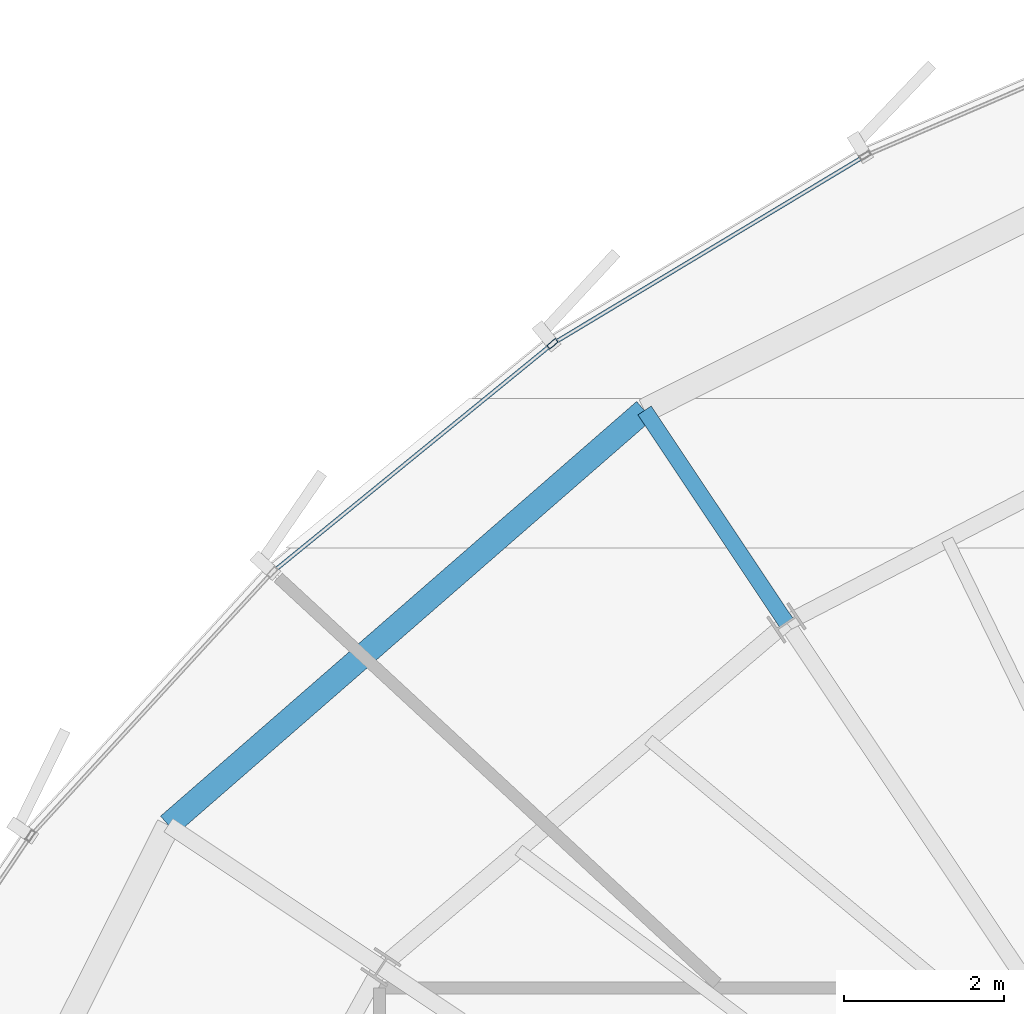
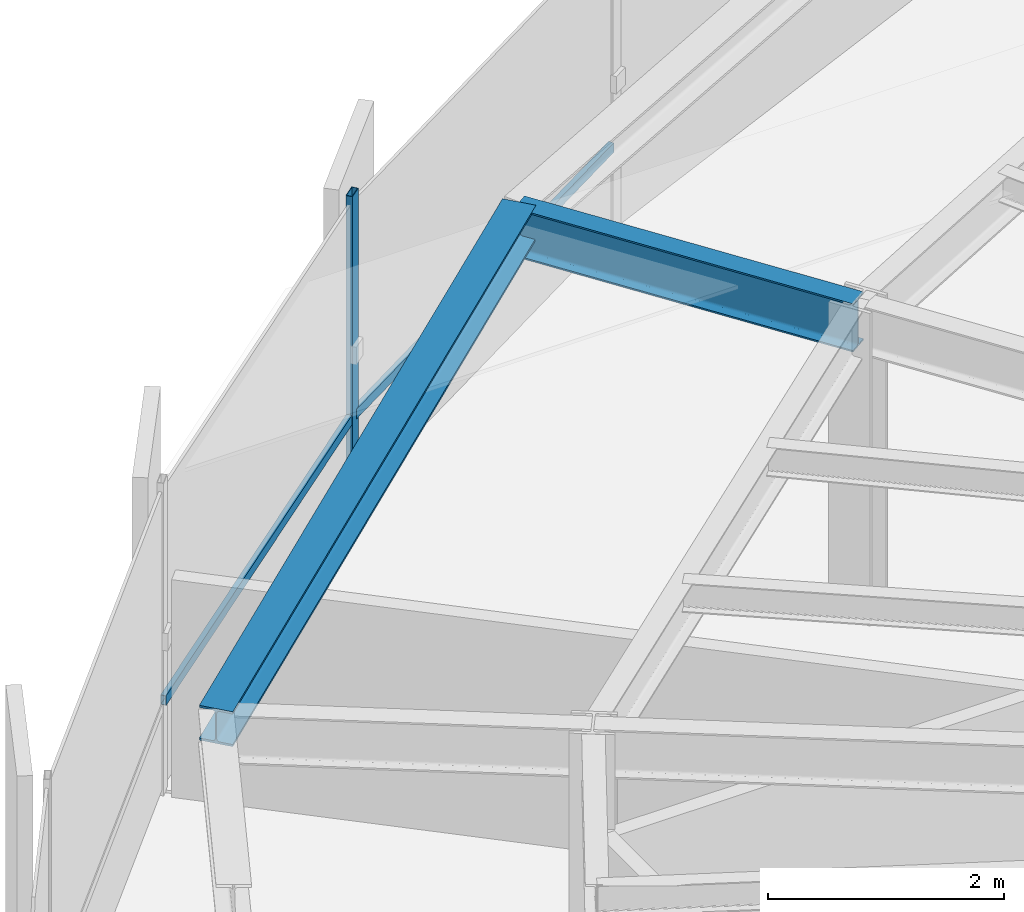
# One storey, part 21 of 36: 3 members, 2 beams, 1 element without a shape of its own.
"""IFC4 building model written with IfcOpenShell, lengths in metres."""

from ifc_helpers import new_model, si_unit, direction, frame, origin, origin_2d, place, context, subcontext, project, spatial, hollow_rectangle, i_section, extrude, source, transform, mapped, material, layer, layer_set, material_profile, profile_set, type_object, element, aggregate, save


model = new_model("IFC4")

# Units and contexts
model_context = context("Model", 3, precision=1e-05, world=origin(), true_north=direction((0.0, 1.0)))
body_context = subcontext(model_context, "Body", "Model", "MODEL_VIEW")
ifc_project = project(units=[si_unit("LENGTHUNIT", "METRE"), si_unit("AREAUNIT", "SQUARE_METRE"), si_unit("VOLUMEUNIT", "CUBIC_METRE"), si_unit("PLANEANGLEUNIT", "RADIAN"), si_unit("MASSUNIT", "GRAM", prefix="KILO"), si_unit("THERMODYNAMICTEMPERATUREUNIT", "KELVIN")], contexts=[model_context])

# Site, building, storey
site_placement = place(None, origin())
site = spatial("IfcSite", under=ifc_project, at=site_placement, CompositionType="ELEMENT")
building_placement = place(site_placement, origin())
building = spatial("IfcBuilding", under=site, at=building_placement, Name="Kethvar Cultural Tower", CompositionType="ELEMENT")
storey_placement = place(building_placement, frame((0.0, 0.0, 176.39990234375)))
storey = spatial("IfcBuildingStorey", under=building, at=storey_placement, Name="L45", CompositionType="ELEMENT", Elevation=176.39990234375)

# Beams
ifc_material_1 = material(Name="Steel S355J2", Category="steel")
ifc_material_profile_1 = material_profile(ifc_material_1, i_section(OverallWidth=0.199951171875, OverallDepth=0.5, WebThickness=0.01025390625, FlangeThickness=0.01611328125, FilletRadius=0.02099609375, at=origin_2d()), Name="Steel S355J2 — IPE500")
ifc_profile_set_1 = profile_set([ifc_material_profile_1], Name="Steel S355J2 — IPE500")
beam_type_1 = type_object("IfcBeamType", Name="BM-IPE500", PredefinedType="BEAM", material=ifc_profile_set_1)
shared_shape_1 = source(origin(), body_context, "Body", "SweptSolid", [
    extrude(i_section(OverallWidth=0.199951171875, OverallDepth=0.5, WebThickness=0.01025390625, FlangeThickness=0.01611328125, FilletRadius=0.02099609375, at=origin_2d()), origin(), (0.0, 0.0, 1.0), 3.199951171875),
])
beam_1_placement = place(storey_placement, frame((37.498779296875, 41.720458984375, 3.008056640625), z_axis=(-0.555580212716, 0.831462943996, 0.0), x_axis=(-0.831462943996, -0.555580212716, 0.0)))
element("IfcBeam", 1, at=beam_1_placement, inside=storey, type_object=beam_type_1, Name="L45 Perimeter Cantilever Beam RC-06", PredefinedType="BEAM", context=body_context, shape_type="MappedRepresentation", body=[
    mapped(shared_shape_1, transform((0.0, 0.0, 0.0), scale=1.0)),
])
ifc_material_profile_2 = material_profile(ifc_material_1, i_section(OverallWidth=0.300048828125, OverallDepth=0.360107421875, WebThickness=0.012451171875, FlangeThickness=0.0224609375, FilletRadius=0.027099609375, at=origin_2d()), Name="Steel S355J2 — HEB360")
ifc_profile_set_2 = profile_set([ifc_material_profile_2], Name="Steel S355J2 — HEB360")
beam_type_2 = type_object("IfcBeamType", Name="BM-SP360", PredefinedType="SPANDREL", material=ifc_profile_set_2)
shared_shape_2 = source(origin(), body_context, "Body", "SweptSolid", [
    extrude(i_section(OverallWidth=0.300048828125, OverallDepth=0.360107421875, WebThickness=0.012451171875, FlangeThickness=0.0224609375, FilletRadius=0.027099609375, at=origin_2d()), origin(), (0.0, 0.0, 1.0), 7.908203125),
])
beam_2_placement = place(storey_placement, frame((35.720947265625, 44.381103515625, 3.078125), z_axis=(-0.754085541675, -0.656776214427, 0.0), x_axis=(0.656776214427, -0.754085541675, 0.0)))
element("IfcBeam", 2, at=beam_2_placement, inside=storey, type_object=beam_type_2, Name="L45 Perimeter Spandrel Beam SP-06", PredefinedType="SPANDREL", context=body_context, shape_type="MappedRepresentation", body=[
    mapped(shared_shape_2, transform((0.0, 0.0, 0.0), scale=1.0)),
])

# Curtain wall, members
ifc_material_2 = material(Name="Aluminium 6063-T6", Category="aluminium")
ifc_layer = layer(ifc_material_2, 0.179931640625, Name="Aluminium 6063-T6", Category="aluminium")
ifc_layer_set = layer_set([ifc_layer], Name="Aluminium 6063-T6 (180 mm)")
curtain_wall_type = type_object("IfcCurtainWallType", Name="CW-SYS-04-Z34", PredefinedType="NOTDEFINED", material=ifc_layer_set)
curtain_wall_placement = place(storey_placement, origin())
curtain_wall = element("IfcCurtainWall", 3, at=curtain_wall_placement, inside=storey, type_object=curtain_wall_type, Name="L45 Curtain Wall Run 02", PredefinedType="NOTDEFINED")
ifc_material_profile_3 = material_profile(ifc_material_2, hollow_rectangle(XDim=0.06005859375, YDim=0.139892578125, WallThickness=0.0048828125, at=origin_2d()), Name="Aluminium 6063-T6 — RHS140x60x5")
ifc_profile_set_3 = profile_set([ifc_material_profile_3], Name="Aluminium 6063-T6 — RHS140x60x5")
member_type_1 = type_object("IfcMemberType", Name="CW-SYS-04-Z34-MUL", PredefinedType="MULLION", material=ifc_profile_set_3)
shared_shape_3 = source(origin(), body_context, "Body", "SweptSolid", [
    extrude(hollow_rectangle(XDim=0.06005859375, YDim=0.139892578125, WallThickness=0.0048828125, at=origin_2d()), origin(), (0.0, 0.0, 1.0), 3.260009765625),
])
member_1_placement = place(storey_placement, frame((34.568603515625, 45.21728515625, 0.0), z_axis=(0.0, 0.0, 1.0), x_axis=(0.632056352945, -0.774922426247, 0.0)))
member_1 = element("IfcMember", 4, at=member_1_placement, type_object=member_type_1, Name="CW-L45-R02 Mullion 4", PredefinedType="MULLION", context=body_context, shape_type="MappedRepresentation", body=[
    mapped(shared_shape_3, transform((0.0, 0.0, 0.0), scale=1.0)),
])
ifc_material_profile_4 = material_profile(ifc_material_2, hollow_rectangle(XDim=0.050048828125, YDim=0.10009765625, WallThickness=0.00390625, at=origin_2d()), Name="Aluminium 6063-T6 — RHS100x50x4")
ifc_profile_set_4 = profile_set([ifc_material_profile_4], Name="Aluminium 6063-T6 — RHS100x50x4")
member_type_2 = type_object("IfcMemberType", Name="CW-SYS-04-Z34-TRN", PredefinedType="USERDEFINED", material=ifc_profile_set_4)
shared_shape_4 = source(origin(), body_context, "Body", "SweptSolid", [
    extrude(hollow_rectangle(XDim=0.050048828125, YDim=0.10009765625, WallThickness=0.00390625, at=origin_2d()), origin(), (0.0, 0.0, 1.0), 4.501953125),
])
member_2_placement = place(storey_placement, frame((38.4501953125, 47.551513671875, 0.9501953125), z_axis=(-0.856846265568, -0.515571990301, 0.0), x_axis=(0.515571990301, -0.856846265568, 0.0)))
member_2 = element("IfcMember", 5, at=member_2_placement, type_object=member_type_2, Name="CW-L45-R02 Transom 3", ObjectType="TRANSOM", PredefinedType="USERDEFINED", context=body_context, shape_type="MappedRepresentation", body=[
    mapped(shared_shape_4, transform((0.0, 0.0, 0.0), scale=1.0)),
])
shared_shape_5 = source(origin(), body_context, "Body", "SweptSolid", [
    extrude(hollow_rectangle(XDim=0.050048828125, YDim=0.10009765625, WallThickness=0.00390625, at=origin_2d()), origin(), (0.0, 0.0, 1.0), 4.456787109375),
])
member_3_placement = place(storey_placement, frame((34.53515625, 45.18994140625, 0.9501953125), z_axis=(-0.774922918422, -0.632055749523, 0.0), x_axis=(0.632055749523, -0.774922918422, 0.0)))
member_3 = element("IfcMember", 6, at=member_3_placement, type_object=member_type_2, Name="CW-L45-R02 Transom 4", ObjectType="TRANSOM", PredefinedType="USERDEFINED", context=body_context, shape_type="MappedRepresentation", body=[
    mapped(shared_shape_5, transform((0.0, 0.0, 0.0), scale=1.0)),
])
aggregate(curtain_wall, [member_1, member_2, member_3])

save(model, "model.ifc")
